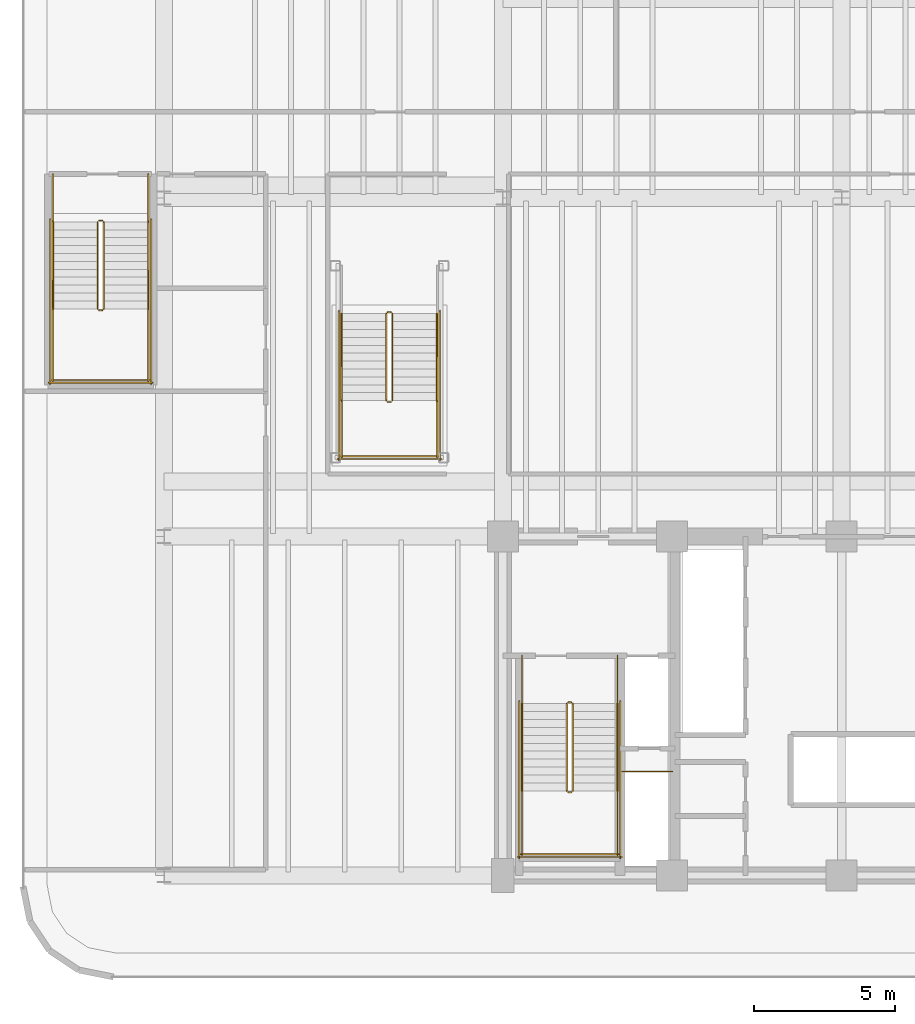
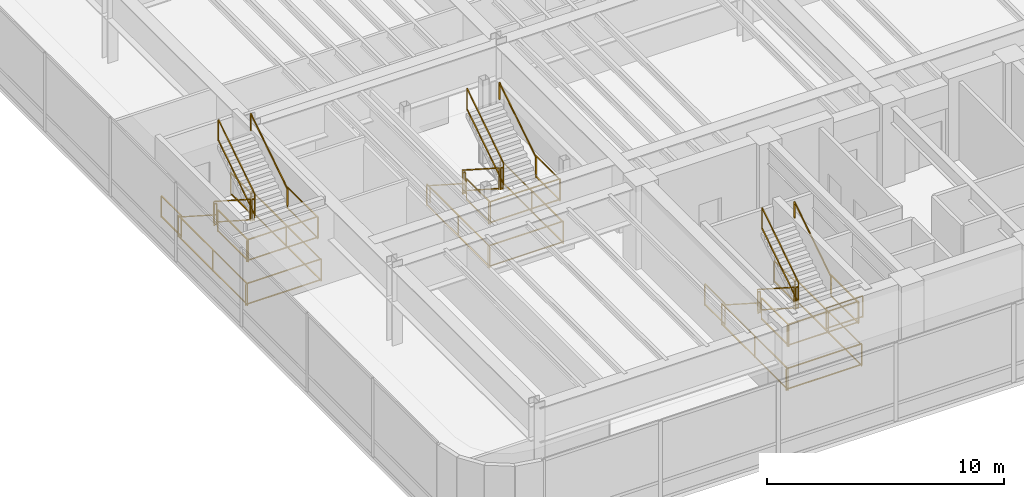
# One storey, part 17 of 19: 41 railings.
"""IFC4 building model written with IfcOpenShell, lengths in metres."""

from ifc_helpers import new_model, si_unit, direction, frame, origin, origin_2d, place, context, subcontext, project, spatial, rectangle, extrude, material, layer, layer_set, type_object, element, save


model = new_model("IFC4")

# Units and contexts
model_context = context("Model", 3, precision=1e-05, world=origin(), true_north=direction((0.0, 1.0)))
body_context = subcontext(model_context, "Body", "Model", "MODEL_VIEW")
ifc_project = project(units=[si_unit("LENGTHUNIT", "METRE"), si_unit("AREAUNIT", "SQUARE_METRE"), si_unit("VOLUMEUNIT", "CUBIC_METRE"), si_unit("PLANEANGLEUNIT", "RADIAN"), si_unit("MASSUNIT", "GRAM", prefix="KILO")], contexts=[model_context])

# Site, building, storey
site_placement = place(None, origin())
site = spatial("IfcSite", under=ifc_project, at=site_placement, CompositionType="ELEMENT")
building_placement = place(site_placement, origin())
building = spatial("IfcBuilding", under=site, at=building_placement, Name="Brelvock Crest Care Tower", CompositionType="ELEMENT")
storey_placement = place(building_placement, frame((0.0, 0.0, 18.360107421875)))
storey = spatial("IfcBuildingStorey", under=building, at=storey_placement, Name="L04", CompositionType="ELEMENT", Elevation=18.360107421875)

# Railings
ifc_material = material(Name="Steel Grade 350", Category="steel")
ifc_layer_1 = layer(ifc_material, 0.050048828125, Name="RL-STG1")
ifc_layer_set_1 = layer_set([ifc_layer_1], Name="Steel Grade 350")
railing_type_1 = type_object("IfcRailingType", Name="RL-STG1", PredefinedType="GUARDRAIL", material=ifc_layer_set_1)
railing_1_placement = place(storey_placement, frame((26.260009765625, 12.080078125, 0.179931640625)))
element("IfcRailing", 1, at=railing_1_placement, inside=storey, type_object=railing_type_1, Name="L04 ST-1 stair guard 1", PredefinedType="GUARDRAIL", context=body_context, shape_type="SweptSolid", body=[
    extrude(rectangle(XDim=0.048095703125, YDim=0.048095703125, at=origin_2d()), frame((0.0, -0.001708984375, 1.116943359375), z_axis=(0.0, -0.84118714077, 0.540744111576), x_axis=(1.0, 0.0, 0.0)), (0.0, 0.0, 1.0), 3.657470703125),
    extrude(rectangle(XDim=0.048095703125, YDim=0.048095703125, at=origin_2d()), frame((0.0, -0.001708984375, 0.05615234375), z_axis=(0.0, -0.84118714077, 0.540744111576), x_axis=(1.0, 0.0, 0.0)), (0.0, 0.0, 1.0), 3.657470703125),
    extrude(rectangle(XDim=0.0419921875, YDim=0.0419921875, at=origin_2d()), origin(), (0.0, 0.0, 1.0), 1.08984375),
    extrude(rectangle(XDim=0.0419921875, YDim=0.0419921875, at=origin_2d()), frame((0.0, -3.080078125, 1.97998046875)), (0.0, 0.0, 1.0), 1.08984375),
])
railing_2_placement = place(storey_placement, frame((26.31005859375, 8.949951171875, 2.159912109375)))
element("IfcRailing", 2, at=railing_2_placement, inside=storey, type_object=railing_type_1, Name="L04 ST-1 stair guard 2", PredefinedType="GUARDRAIL", context=body_context, shape_type="SweptSolid", body=[
    extrude(rectangle(XDim=0.048095703125, YDim=0.048095703125, at=origin_2d()), frame((0.001953125, 0.0, 1.11572265625), z_axis=(1.0, 0.0, 0.0), x_axis=(0.0, 1.0, 0.0)), (0.0, 0.0, 1.0), 0.115966796875),
    extrude(rectangle(XDim=0.048095703125, YDim=0.048095703125, at=origin_2d()), frame((0.001953125, 0.0, 0.054931640625), z_axis=(1.0, 0.0, 0.0), x_axis=(0.0, 1.0, 0.0)), (0.0, 0.0, 1.0), 0.115966796875),
    extrude(rectangle(XDim=0.0419921875, YDim=0.0419921875, at=origin_2d()), origin(), (0.0, 0.0, 1.0), 1.08984375),
    extrude(rectangle(XDim=0.0419921875, YDim=0.0419921875, at=origin_2d()), frame((0.119873046875, 0.0, 0.0)), (0.0, 0.0, 1.0), 1.08984375),
])
for number, where, name in (
    (3, (24.679931640625, 9.0, 2.159912109375), "L04 ST-1 stair guard 3"),
    (4, (28.06005859375, 9.0, 2.159912109375), "L04 ST-1 stair guard 4"),
):
    element("IfcRailing", number, at=place(storey_placement, frame(where)), inside=storey, type_object=railing_type_1, Name=name, PredefinedType="GUARDRAIL", context=body_context, shape_type="SweptSolid", body=[
        extrude(rectangle(XDim=0.048095703125, YDim=0.048095703125, at=origin_2d()), frame((0.0, -0.001953125, 1.11572265625), z_axis=(0.0, -1.0, 0.0), x_axis=(1.0, 0.0, 0.0)), (0.0, 0.0, 1.0), 2.296142578125),
        extrude(rectangle(XDim=0.048095703125, YDim=0.048095703125, at=origin_2d()), frame((0.0, -0.001953125, 0.054931640625), z_axis=(0.0, -1.0, 0.0), x_axis=(1.0, 0.0, 0.0)), (0.0, 0.0, 1.0), 2.296142578125),
        extrude(rectangle(XDim=0.0419921875, YDim=0.0419921875, at=origin_2d()), origin(), (0.0, 0.0, 1.0), 1.08984375),
        extrude(rectangle(XDim=0.0419921875, YDim=0.0419921875, at=origin_2d()), frame((0.0, -2.300048828125, 0.0)), (0.0, 0.0, 1.0), 1.08984375),
    ])
railing_3_placement = place(storey_placement, frame((24.6298828125, 6.75, 2.159912109375)))
element("IfcRailing", 5, at=railing_3_placement, inside=storey, type_object=railing_type_1, Name="L04 ST-1 stair guard 5", PredefinedType="GUARDRAIL", context=body_context, shape_type="SweptSolid", body=[
    extrude(rectangle(XDim=0.048095703125, YDim=0.048095703125, at=origin_2d()), frame((0.001953125, 0.0, 1.11572265625), z_axis=(1.0, 0.0, 0.0), x_axis=(0.0, 1.0, 0.0)), (0.0, 0.0, 1.0), 3.476318359375),
    extrude(rectangle(XDim=0.048095703125, YDim=0.048095703125, at=origin_2d()), frame((0.001953125, 0.0, 0.054931640625), z_axis=(1.0, 0.0, 0.0), x_axis=(0.0, 1.0, 0.0)), (0.0, 0.0, 1.0), 3.476318359375),
    extrude(rectangle(XDim=0.0419921875, YDim=0.0419921875, at=origin_2d()), origin(), (0.0, 0.0, 1.0), 1.08984375),
    extrude(rectangle(XDim=0.0419921875, YDim=0.0419921875, at=origin_2d()), frame((3.480224609375, 0.0, 0.0)), (0.0, 0.0, 1.0), 1.08984375),
])
railing_4_placement = place(storey_placement, frame((26.47998046875, 9.0, 2.33984375)))
element("IfcRailing", 6, at=railing_4_placement, inside=storey, type_object=railing_type_1, Name="L04 ST-1 stair guard 6", PredefinedType="GUARDRAIL", context=body_context, shape_type="SweptSolid", body=[
    extrude(rectangle(XDim=0.048095703125, YDim=0.048095703125, at=origin_2d()), frame((0.0, 0.001708984375, 1.116943359375), z_axis=(0.0, 0.84118714077, 0.540744111576), x_axis=(-1.0, 0.0, 0.0)), (0.0, 0.0, 1.0), 3.657470703125),
    extrude(rectangle(XDim=0.048095703125, YDim=0.048095703125, at=origin_2d()), frame((0.0, 0.001708984375, 0.05615234375), z_axis=(0.0, 0.84118714077, 0.540744111576), x_axis=(-1.0, 0.0, 0.0)), (0.0, 0.0, 1.0), 3.657470703125),
    extrude(rectangle(XDim=0.0419921875, YDim=0.0419921875, at=origin_2d()), origin(), (0.0, 0.0, 1.0), 1.08984375),
    extrude(rectangle(XDim=0.0419921875, YDim=0.0419921875, at=origin_2d()), frame((0.0, 3.080078125, 1.97998046875)), (0.0, 0.0, 1.0), 1.08984375),
])
railing_5_placement = place(storey_placement, frame((26.31005859375, 12.1298828125, 0.0)))
element("IfcRailing", 7, at=railing_5_placement, inside=storey, type_object=railing_type_1, Name="L04 ST-1 stair guard 7", PredefinedType="GUARDRAIL", context=body_context, shape_type="SweptSolid", body=[
    extrude(rectangle(XDim=0.048095703125, YDim=0.048095703125, at=origin_2d()), frame((0.001953125, 0.0, 1.11572265625), z_axis=(1.0, 0.0, 0.0), x_axis=(0.0, 1.0, 0.0)), (0.0, 0.0, 1.0), 0.115966796875),
    extrude(rectangle(XDim=0.048095703125, YDim=0.048095703125, at=origin_2d()), frame((0.001953125, 0.0, 0.054931640625), z_axis=(1.0, 0.0, 0.0), x_axis=(0.0, 1.0, 0.0)), (0.0, 0.0, 1.0), 0.115966796875),
    extrude(rectangle(XDim=0.0419921875, YDim=0.0419921875, at=origin_2d()), origin(), (0.0, 0.0, 1.0), 1.08984375),
    extrude(rectangle(XDim=0.0419921875, YDim=0.0419921875, at=origin_2d()), frame((0.119873046875, 0.0, 0.0)), (0.0, 0.0, 1.0), 1.08984375),
])
for number, where, name in (
    (8, (24.679931640625, 13.780029296875, 0.0), "L04 ST-1 stair guard 8"),
    (9, (28.06005859375, 13.780029296875, 0.0), "L04 ST-1 stair guard 9"),
):
    element("IfcRailing", number, at=place(storey_placement, frame(where)), inside=storey, type_object=railing_type_1, Name=name, PredefinedType="GUARDRAIL", context=body_context, shape_type="SweptSolid", body=[
        extrude(rectangle(XDim=0.048095703125, YDim=0.048095703125, at=origin_2d()), frame((0.0, -0.001953125, 1.11572265625), z_axis=(0.0, -1.0, 0.0), x_axis=(1.0, 0.0, 0.0)), (0.0, 0.0, 1.0), 1.696044921875),
        extrude(rectangle(XDim=0.048095703125, YDim=0.048095703125, at=origin_2d()), frame((0.0, -0.001953125, 0.054931640625), z_axis=(0.0, -1.0, 0.0), x_axis=(1.0, 0.0, 0.0)), (0.0, 0.0, 1.0), 1.696044921875),
        extrude(rectangle(XDim=0.0419921875, YDim=0.0419921875, at=origin_2d()), origin(), (0.0, 0.0, 1.0), 1.08984375),
        extrude(rectangle(XDim=0.0419921875, YDim=0.0419921875, at=origin_2d()), frame((0.0, -1.699951171875, 0.0)), (0.0, 0.0, 1.0), 1.08984375),
    ])
for number, where, name in (
    (10, (24.580078125, 12.179931640625, 0.0), "L04 ST-1 stair guard 10"),
    (11, (28.159912109375, 12.179931640625, 0.0), "L04 ST-1 stair guard 11"),
):
    element("IfcRailing", number, at=place(storey_placement, frame(where)), inside=storey, type_object=railing_type_1, Name=name, PredefinedType="GUARDRAIL", context=body_context, shape_type="SweptSolid", body=[
        extrude(rectangle(XDim=0.048095703125, YDim=0.048095703125, at=origin_2d()), frame((0.0, -0.001953125, 1.11572265625), z_axis=(0.0, -1.0, 0.0), x_axis=(1.0, 0.0, 0.0)), (0.0, 0.0, 1.0), 5.575927734375),
        extrude(rectangle(XDim=0.048095703125, YDim=0.048095703125, at=origin_2d()), frame((0.0, -0.001953125, 0.054931640625), z_axis=(0.0, -1.0, 0.0), x_axis=(1.0, 0.0, 0.0)), (0.0, 0.0, 1.0), 5.575927734375),
        extrude(rectangle(XDim=0.0419921875, YDim=0.0419921875, at=origin_2d()), origin(), (0.0, 0.0, 1.0), 1.08984375),
        extrude(rectangle(XDim=0.0419921875, YDim=0.0419921875, at=origin_2d()), frame((0.0, -2.7900390625, 0.0)), (0.0, 0.0, 1.0), 1.08984375),
        extrude(rectangle(XDim=0.0419921875, YDim=0.0419921875, at=origin_2d()), frame((0.0, -5.579833984375, 0.0)), (0.0, 0.0, 1.0), 1.08984375),
    ])
railing_6_placement = place(storey_placement, frame((24.530029296875, 6.64990234375, 0.0)))
element("IfcRailing", 12, at=railing_6_placement, inside=storey, type_object=railing_type_1, Name="L04 ST-1 stair guard 12", PredefinedType="GUARDRAIL", context=body_context, shape_type="SweptSolid", body=[
    extrude(rectangle(XDim=0.048095703125, YDim=0.048095703125, at=origin_2d()), frame((0.001953125, 0.0, 1.11572265625), z_axis=(1.0, 0.0, 0.0), x_axis=(0.0, 1.0, 0.0)), (0.0, 0.0, 1.0), 3.676025390625),
    extrude(rectangle(XDim=0.048095703125, YDim=0.048095703125, at=origin_2d()), frame((0.001953125, 0.0, 0.054931640625), z_axis=(1.0, 0.0, 0.0), x_axis=(0.0, 1.0, 0.0)), (0.0, 0.0, 1.0), 3.676025390625),
    extrude(rectangle(XDim=0.0419921875, YDim=0.0419921875, at=origin_2d()), origin(), (0.0, 0.0, 1.0), 1.08984375),
    extrude(rectangle(XDim=0.0419921875, YDim=0.0419921875, at=origin_2d()), frame((3.679931640625, 0.0, 0.0)), (0.0, 0.0, 1.0), 1.08984375),
])
railing_7_placement = place(storey_placement, frame((9.639892578125, 29.14990234375, 0.179931640625)))
element("IfcRailing", 13, at=railing_7_placement, inside=storey, type_object=railing_type_1, Name="L04 ST-3 stair guard 1", PredefinedType="GUARDRAIL", context=body_context, shape_type="SweptSolid", body=[
    extrude(rectangle(XDim=0.048095703125, YDim=0.048095703125, at=origin_2d()), frame((0.0, -0.001708984375, 1.116943359375), z_axis=(0.0, -0.841167642724, 0.540774441735), x_axis=(1.0, 0.0, 0.0)), (0.0, 0.0, 1.0), 3.657470703125),
    extrude(rectangle(XDim=0.048095703125, YDim=0.048095703125, at=origin_2d()), frame((0.0, -0.001708984375, 0.05615234375), z_axis=(0.0, -0.841167642724, 0.540774441735), x_axis=(1.0, 0.0, 0.0)), (0.0, 0.0, 1.0), 3.657470703125),
    extrude(rectangle(XDim=0.0419921875, YDim=0.0419921875, at=origin_2d()), origin(), (0.0, 0.0, 1.0), 1.08984375),
    extrude(rectangle(XDim=0.0419921875, YDim=0.0419921875, at=origin_2d()), frame((0.0, -3.079833984375, 1.97998046875)), (0.0, 0.0, 1.0), 1.08984375),
])
railing_8_placement = place(storey_placement, frame((9.68994140625, 26.02001953125, 2.159912109375)))
element("IfcRailing", 14, at=railing_8_placement, inside=storey, type_object=railing_type_1, Name="L04 ST-3 stair guard 2", PredefinedType="GUARDRAIL", context=body_context, shape_type="SweptSolid", body=[
    extrude(rectangle(XDim=0.048095703125, YDim=0.048095703125, at=origin_2d()), frame((0.001953125, 0.0, 1.11572265625), z_axis=(1.0, 0.0, 0.0), x_axis=(0.0, 1.0, 0.0)), (0.0, 0.0, 1.0), 0.1162109375),
    extrude(rectangle(XDim=0.048095703125, YDim=0.048095703125, at=origin_2d()), frame((0.001953125, 0.0, 0.054931640625), z_axis=(1.0, 0.0, 0.0), x_axis=(0.0, 1.0, 0.0)), (0.0, 0.0, 1.0), 0.1162109375),
    extrude(rectangle(XDim=0.0419921875, YDim=0.0419921875, at=origin_2d()), origin(), (0.0, 0.0, 1.0), 1.08984375),
    extrude(rectangle(XDim=0.0419921875, YDim=0.0419921875, at=origin_2d()), frame((0.1201171875, 0.0, 0.0)), (0.0, 0.0, 1.0), 1.08984375),
])
for number, where, name in (
    (15, (8.06005859375, 26.070068359375, 2.159912109375), "L04 ST-3 stair guard 3"),
    (16, (11.43994140625, 26.070068359375, 2.159912109375), "L04 ST-3 stair guard 4"),
):
    element("IfcRailing", number, at=place(storey_placement, frame(where)), inside=storey, type_object=railing_type_1, Name=name, PredefinedType="GUARDRAIL", context=body_context, shape_type="SweptSolid", body=[
        extrude(rectangle(XDim=0.048095703125, YDim=0.048095703125, at=origin_2d()), frame((0.0, -0.001953125, 1.11572265625), z_axis=(0.0, -1.0, 0.0), x_axis=(1.0, 0.0, 0.0)), (0.0, 0.0, 1.0), 2.566162109375),
        extrude(rectangle(XDim=0.048095703125, YDim=0.048095703125, at=origin_2d()), frame((0.0, -0.001953125, 0.054931640625), z_axis=(0.0, -1.0, 0.0), x_axis=(1.0, 0.0, 0.0)), (0.0, 0.0, 1.0), 2.566162109375),
        extrude(rectangle(XDim=0.0419921875, YDim=0.0419921875, at=origin_2d()), origin(), (0.0, 0.0, 1.0), 1.08984375),
        extrude(rectangle(XDim=0.0419921875, YDim=0.0419921875, at=origin_2d()), frame((0.0, -2.570068359375, 0.0)), (0.0, 0.0, 1.0), 1.08984375),
    ])
railing_9_placement = place(storey_placement, frame((8.010009765625, 23.550048828125, 2.159912109375)))
element("IfcRailing", 17, at=railing_9_placement, inside=storey, type_object=railing_type_1, Name="L04 ST-3 stair guard 5", PredefinedType="GUARDRAIL", context=body_context, shape_type="SweptSolid", body=[
    extrude(rectangle(XDim=0.048095703125, YDim=0.048095703125, at=origin_2d()), frame((0.001953125, 0.0, 1.11572265625), z_axis=(1.0, 0.0, 0.0), x_axis=(0.0, 1.0, 0.0)), (0.0, 0.0, 1.0), 3.47607421875),
    extrude(rectangle(XDim=0.048095703125, YDim=0.048095703125, at=origin_2d()), frame((0.001953125, 0.0, 0.054931640625), z_axis=(1.0, 0.0, 0.0), x_axis=(0.0, 1.0, 0.0)), (0.0, 0.0, 1.0), 3.47607421875),
    extrude(rectangle(XDim=0.0419921875, YDim=0.0419921875, at=origin_2d()), origin(), (0.0, 0.0, 1.0), 1.08984375),
    extrude(rectangle(XDim=0.0419921875, YDim=0.0419921875, at=origin_2d()), frame((3.47998046875, 0.0, 0.0)), (0.0, 0.0, 1.0), 1.08984375),
])
railing_10_placement = place(storey_placement, frame((9.860107421875, 26.070068359375, 2.33984375)))
element("IfcRailing", 18, at=railing_10_placement, inside=storey, type_object=railing_type_1, Name="L04 ST-3 stair guard 6", PredefinedType="GUARDRAIL", context=body_context, shape_type="SweptSolid", body=[
    extrude(rectangle(XDim=0.048095703125, YDim=0.048095703125, at=origin_2d()), frame((0.0, 0.001708984375, 1.116943359375), z_axis=(0.0, 0.841167642724, 0.540774441735), x_axis=(-1.0, 0.0, 0.0)), (0.0, 0.0, 1.0), 3.657470703125),
    extrude(rectangle(XDim=0.048095703125, YDim=0.048095703125, at=origin_2d()), frame((0.0, 0.001708984375, 0.05615234375), z_axis=(0.0, 0.841167642724, 0.540774441735), x_axis=(-1.0, 0.0, 0.0)), (0.0, 0.0, 1.0), 3.657470703125),
    extrude(rectangle(XDim=0.0419921875, YDim=0.0419921875, at=origin_2d()), origin(), (0.0, 0.0, 1.0), 1.08984375),
    extrude(rectangle(XDim=0.0419921875, YDim=0.0419921875, at=origin_2d()), frame((0.0, 3.079833984375, 1.97998046875)), (0.0, 0.0, 1.0), 1.08984375),
])
railing_11_placement = place(storey_placement, frame((9.68994140625, 29.199951171875, 0.0)))
element("IfcRailing", 19, at=railing_11_placement, inside=storey, type_object=railing_type_1, Name="L04 ST-3 stair guard 7", PredefinedType="GUARDRAIL", context=body_context, shape_type="SweptSolid", body=[
    extrude(rectangle(XDim=0.048095703125, YDim=0.048095703125, at=origin_2d()), frame((0.001953125, 0.0, 1.11572265625), z_axis=(1.0, 0.0, 0.0), x_axis=(0.0, 1.0, 0.0)), (0.0, 0.0, 1.0), 0.1162109375),
    extrude(rectangle(XDim=0.048095703125, YDim=0.048095703125, at=origin_2d()), frame((0.001953125, 0.0, 0.054931640625), z_axis=(1.0, 0.0, 0.0), x_axis=(0.0, 1.0, 0.0)), (0.0, 0.0, 1.0), 0.1162109375),
    extrude(rectangle(XDim=0.0419921875, YDim=0.0419921875, at=origin_2d()), origin(), (0.0, 0.0, 1.0), 1.08984375),
    extrude(rectangle(XDim=0.0419921875, YDim=0.0419921875, at=origin_2d()), frame((0.1201171875, 0.0, 0.0)), (0.0, 0.0, 1.0), 1.08984375),
])
for number, where, name in (
    (20, (8.06005859375, 30.85009765625, 0.0), "L04 ST-3 stair guard 8"),
    (21, (11.43994140625, 30.85009765625, 0.0), "L04 ST-3 stair guard 9"),
):
    element("IfcRailing", number, at=place(storey_placement, frame(where)), inside=storey, type_object=railing_type_1, Name=name, PredefinedType="GUARDRAIL", context=body_context, shape_type="SweptSolid", body=[
        extrude(rectangle(XDim=0.048095703125, YDim=0.048095703125, at=origin_2d()), frame((0.0, -0.001953125, 1.11572265625), z_axis=(0.0, -1.0, 0.0), x_axis=(1.0, 0.0, 0.0)), (0.0, 0.0, 1.0), 1.6962890625),
        extrude(rectangle(XDim=0.048095703125, YDim=0.048095703125, at=origin_2d()), frame((0.0, -0.001953125, 0.054931640625), z_axis=(0.0, -1.0, 0.0), x_axis=(1.0, 0.0, 0.0)), (0.0, 0.0, 1.0), 1.6962890625),
        extrude(rectangle(XDim=0.0419921875, YDim=0.0419921875, at=origin_2d()), origin(), (0.0, 0.0, 1.0), 1.08984375),
        extrude(rectangle(XDim=0.0419921875, YDim=0.0419921875, at=origin_2d()), frame((0.0, -1.7001953125, 0.0)), (0.0, 0.0, 1.0), 1.08984375),
    ])
for number, where, name in (
    (22, (7.9599609375, 29.25, 0.0), "L04 ST-3 stair guard 10"),
    (23, (11.5400390625, 29.25, 0.0), "L04 ST-3 stair guard 11"),
):
    element("IfcRailing", number, at=place(storey_placement, frame(where)), inside=storey, type_object=railing_type_1, Name=name, PredefinedType="GUARDRAIL", context=body_context, shape_type="SweptSolid", body=[
        extrude(rectangle(XDim=0.048095703125, YDim=0.048095703125, at=origin_2d()), frame((0.0, -0.001953125, 1.11572265625), z_axis=(0.0, -1.0, 0.0), x_axis=(1.0, 0.0, 0.0)), (0.0, 0.0, 1.0), 5.84619140625),
        extrude(rectangle(XDim=0.048095703125, YDim=0.048095703125, at=origin_2d()), frame((0.0, -0.001953125, 0.054931640625), z_axis=(0.0, -1.0, 0.0), x_axis=(1.0, 0.0, 0.0)), (0.0, 0.0, 1.0), 5.84619140625),
        extrude(rectangle(XDim=0.0419921875, YDim=0.0419921875, at=origin_2d()), origin(), (0.0, 0.0, 1.0), 1.08984375),
        extrude(rectangle(XDim=0.0419921875, YDim=0.0419921875, at=origin_2d()), frame((0.0, -2.925048828125, 0.0)), (0.0, 0.0, 1.0), 1.08984375),
        extrude(rectangle(XDim=0.0419921875, YDim=0.0419921875, at=origin_2d()), frame((0.0, -5.85009765625, 0.0)), (0.0, 0.0, 1.0), 1.08984375),
    ])
railing_12_placement = place(storey_placement, frame((7.909912109375, 23.449951171875, 0.0)))
element("IfcRailing", 24, at=railing_12_placement, inside=storey, type_object=railing_type_1, Name="L04 ST-3 stair guard 12", PredefinedType="GUARDRAIL", context=body_context, shape_type="SweptSolid", body=[
    extrude(rectangle(XDim=0.048095703125, YDim=0.048095703125, at=origin_2d()), frame((0.001953125, 0.0, 1.11572265625), z_axis=(1.0, 0.0, 0.0), x_axis=(0.0, 1.0, 0.0)), (0.0, 0.0, 1.0), 3.67626953125),
    extrude(rectangle(XDim=0.048095703125, YDim=0.048095703125, at=origin_2d()), frame((0.001953125, 0.0, 0.054931640625), z_axis=(1.0, 0.0, 0.0), x_axis=(0.0, 1.0, 0.0)), (0.0, 0.0, 1.0), 3.67626953125),
    extrude(rectangle(XDim=0.0419921875, YDim=0.0419921875, at=origin_2d()), origin(), (0.0, 0.0, 1.0), 1.08984375),
    extrude(rectangle(XDim=0.0419921875, YDim=0.0419921875, at=origin_2d()), frame((3.68017578125, 0.0, 0.0)), (0.0, 0.0, 1.0), 1.08984375),
])
railing_13_placement = place(storey_placement, frame((19.8701171875, 25.89990234375, 0.179931640625)))
element("IfcRailing", 25, at=railing_13_placement, inside=storey, type_object=railing_type_1, Name="L04 ST-5 stair guard 1", PredefinedType="GUARDRAIL", context=body_context, shape_type="SweptSolid", body=[
    extrude(rectangle(XDim=0.048095703125, YDim=0.048095703125, at=origin_2d()), frame((0.0, -0.001708984375, 1.116943359375), z_axis=(0.0, -0.841167642724, 0.540774441735), x_axis=(1.0, 0.0, 0.0)), (0.0, 0.0, 1.0), 3.657470703125),
    extrude(rectangle(XDim=0.048095703125, YDim=0.048095703125, at=origin_2d()), frame((0.0, -0.001708984375, 0.05615234375), z_axis=(0.0, -0.841167642724, 0.540774441735), x_axis=(1.0, 0.0, 0.0)), (0.0, 0.0, 1.0), 3.657470703125),
    extrude(rectangle(XDim=0.0419921875, YDim=0.0419921875, at=origin_2d()), origin(), (0.0, 0.0, 1.0), 1.08984375),
    extrude(rectangle(XDim=0.0419921875, YDim=0.0419921875, at=origin_2d()), frame((0.0, -3.079833984375, 1.97998046875)), (0.0, 0.0, 1.0), 1.08984375),
])
railing_14_placement = place(storey_placement, frame((19.919921875, 22.77001953125, 2.159912109375)))
element("IfcRailing", 26, at=railing_14_placement, inside=storey, type_object=railing_type_1, Name="L04 ST-5 stair guard 2", PredefinedType="GUARDRAIL", context=body_context, shape_type="SweptSolid", body=[
    extrude(rectangle(XDim=0.048095703125, YDim=0.048095703125, at=origin_2d()), frame((0.001953125, 0.0, 1.11572265625), z_axis=(1.0, 0.0, 0.0), x_axis=(0.0, 1.0, 0.0)), (0.0, 0.0, 1.0), 0.1162109375),
    extrude(rectangle(XDim=0.048095703125, YDim=0.048095703125, at=origin_2d()), frame((0.001953125, 0.0, 0.054931640625), z_axis=(1.0, 0.0, 0.0), x_axis=(0.0, 1.0, 0.0)), (0.0, 0.0, 1.0), 0.1162109375),
    extrude(rectangle(XDim=0.0419921875, YDim=0.0419921875, at=origin_2d()), origin(), (0.0, 0.0, 1.0), 1.08984375),
    extrude(rectangle(XDim=0.0419921875, YDim=0.0419921875, at=origin_2d()), frame((0.1201171875, 0.0, 0.0)), (0.0, 0.0, 1.0), 1.08984375),
])
for number, where, name in (
    (27, (18.2900390625, 22.820068359375, 2.159912109375), "L04 ST-5 stair guard 3"),
    (28, (21.669921875, 22.820068359375, 2.159912109375), "L04 ST-5 stair guard 4"),
):
    element("IfcRailing", number, at=place(storey_placement, frame(where)), inside=storey, type_object=railing_type_1, Name=name, PredefinedType="GUARDRAIL", context=body_context, shape_type="SweptSolid", body=[
        extrude(rectangle(XDim=0.048095703125, YDim=0.048095703125, at=origin_2d()), frame((0.0, -0.001953125, 1.11572265625), z_axis=(0.0, -1.0, 0.0), x_axis=(1.0, 0.0, 0.0)), (0.0, 0.0, 1.0), 2.01611328125),
        extrude(rectangle(XDim=0.048095703125, YDim=0.048095703125, at=origin_2d()), frame((0.0, -0.001953125, 0.054931640625), z_axis=(0.0, -1.0, 0.0), x_axis=(1.0, 0.0, 0.0)), (0.0, 0.0, 1.0), 2.01611328125),
        extrude(rectangle(XDim=0.0419921875, YDim=0.0419921875, at=origin_2d()), origin(), (0.0, 0.0, 1.0), 1.08984375),
        extrude(rectangle(XDim=0.0419921875, YDim=0.0419921875, at=origin_2d()), frame((0.0, -2.02001953125, 0.0)), (0.0, 0.0, 1.0), 1.08984375),
    ])
railing_15_placement = place(storey_placement, frame((18.239990234375, 20.85009765625, 2.159912109375)))
element("IfcRailing", 29, at=railing_15_placement, inside=storey, type_object=railing_type_1, Name="L04 ST-5 stair guard 5", PredefinedType="GUARDRAIL", context=body_context, shape_type="SweptSolid", body=[
    extrude(rectangle(XDim=0.048095703125, YDim=0.048095703125, at=origin_2d()), frame((0.001953125, 0.0, 1.11572265625), z_axis=(1.0, 0.0, 0.0), x_axis=(0.0, 1.0, 0.0)), (0.0, 0.0, 1.0), 3.47607421875),
    extrude(rectangle(XDim=0.048095703125, YDim=0.048095703125, at=origin_2d()), frame((0.001953125, 0.0, 0.054931640625), z_axis=(1.0, 0.0, 0.0), x_axis=(0.0, 1.0, 0.0)), (0.0, 0.0, 1.0), 3.47607421875),
    extrude(rectangle(XDim=0.0419921875, YDim=0.0419921875, at=origin_2d()), origin(), (0.0, 0.0, 1.0), 1.08984375),
    extrude(rectangle(XDim=0.0419921875, YDim=0.0419921875, at=origin_2d()), frame((3.47998046875, 0.0, 0.0)), (0.0, 0.0, 1.0), 1.08984375),
])
railing_16_placement = place(storey_placement, frame((20.090087890625, 22.820068359375, 2.33984375)))
element("IfcRailing", 30, at=railing_16_placement, inside=storey, type_object=railing_type_1, Name="L04 ST-5 stair guard 6", PredefinedType="GUARDRAIL", context=body_context, shape_type="SweptSolid", body=[
    extrude(rectangle(XDim=0.048095703125, YDim=0.048095703125, at=origin_2d()), frame((0.0, 0.001708984375, 1.116943359375), z_axis=(0.0, 0.841167642724, 0.540774441735), x_axis=(-1.0, 0.0, 0.0)), (0.0, 0.0, 1.0), 3.657470703125),
    extrude(rectangle(XDim=0.048095703125, YDim=0.048095703125, at=origin_2d()), frame((0.0, 0.001708984375, 0.05615234375), z_axis=(0.0, 0.841167642724, 0.540774441735), x_axis=(-1.0, 0.0, 0.0)), (0.0, 0.0, 1.0), 3.657470703125),
    extrude(rectangle(XDim=0.0419921875, YDim=0.0419921875, at=origin_2d()), origin(), (0.0, 0.0, 1.0), 1.08984375),
    extrude(rectangle(XDim=0.0419921875, YDim=0.0419921875, at=origin_2d()), frame((0.0, 3.079833984375, 1.97998046875)), (0.0, 0.0, 1.0), 1.08984375),
])
railing_17_placement = place(storey_placement, frame((19.919921875, 25.949951171875, 0.0)))
element("IfcRailing", 31, at=railing_17_placement, inside=storey, type_object=railing_type_1, Name="L04 ST-5 stair guard 7", PredefinedType="GUARDRAIL", context=body_context, shape_type="SweptSolid", body=[
    extrude(rectangle(XDim=0.048095703125, YDim=0.048095703125, at=origin_2d()), frame((0.001953125, 0.0, 1.11572265625), z_axis=(1.0, 0.0, 0.0), x_axis=(0.0, 1.0, 0.0)), (0.0, 0.0, 1.0), 0.1162109375),
    extrude(rectangle(XDim=0.048095703125, YDim=0.048095703125, at=origin_2d()), frame((0.001953125, 0.0, 0.054931640625), z_axis=(1.0, 0.0, 0.0), x_axis=(0.0, 1.0, 0.0)), (0.0, 0.0, 1.0), 0.1162109375),
    extrude(rectangle(XDim=0.0419921875, YDim=0.0419921875, at=origin_2d()), origin(), (0.0, 0.0, 1.0), 1.08984375),
    extrude(rectangle(XDim=0.0419921875, YDim=0.0419921875, at=origin_2d()), frame((0.1201171875, 0.0, 0.0)), (0.0, 0.0, 1.0), 1.08984375),
])
for number, where, name in (
    (32, (18.18994140625, 26.0, 0.0), "L04 ST-5 stair guard 10"),
    (33, (21.77001953125, 26.0, 0.0), "L04 ST-5 stair guard 11"),
):
    element("IfcRailing", number, at=place(storey_placement, frame(where)), inside=storey, type_object=railing_type_1, Name=name, PredefinedType="GUARDRAIL", context=body_context, shape_type="SweptSolid", body=[
        extrude(rectangle(XDim=0.048095703125, YDim=0.048095703125, at=origin_2d()), frame((0.0, -0.001953125, 1.11572265625), z_axis=(0.0, -1.0, 0.0), x_axis=(1.0, 0.0, 0.0)), (0.0, 0.0, 1.0), 5.296142578125),
        extrude(rectangle(XDim=0.048095703125, YDim=0.048095703125, at=origin_2d()), frame((0.0, -0.001953125, 0.054931640625), z_axis=(0.0, -1.0, 0.0), x_axis=(1.0, 0.0, 0.0)), (0.0, 0.0, 1.0), 5.296142578125),
        extrude(rectangle(XDim=0.0419921875, YDim=0.0419921875, at=origin_2d()), origin(), (0.0, 0.0, 1.0), 1.08984375),
        extrude(rectangle(XDim=0.0419921875, YDim=0.0419921875, at=origin_2d()), frame((0.0, -2.64990234375, 0.0)), (0.0, 0.0, 1.0), 1.08984375),
        extrude(rectangle(XDim=0.0419921875, YDim=0.0419921875, at=origin_2d()), frame((0.0, -5.300048828125, 0.0)), (0.0, 0.0, 1.0), 1.08984375),
    ])
railing_18_placement = place(storey_placement, frame((18.139892578125, 20.75, 0.0)))
element("IfcRailing", 34, at=railing_18_placement, inside=storey, type_object=railing_type_1, Name="L04 ST-5 stair guard 12", PredefinedType="GUARDRAIL", context=body_context, shape_type="SweptSolid", body=[
    extrude(rectangle(XDim=0.048095703125, YDim=0.048095703125, at=origin_2d()), frame((0.001953125, 0.0, 1.11572265625), z_axis=(1.0, 0.0, 0.0), x_axis=(0.0, 1.0, 0.0)), (0.0, 0.0, 1.0), 3.67626953125),
    extrude(rectangle(XDim=0.048095703125, YDim=0.048095703125, at=origin_2d()), frame((0.001953125, 0.0, 0.054931640625), z_axis=(1.0, 0.0, 0.0), x_axis=(0.0, 1.0, 0.0)), (0.0, 0.0, 1.0), 3.67626953125),
    extrude(rectangle(XDim=0.0419921875, YDim=0.0419921875, at=origin_2d()), origin(), (0.0, 0.0, 1.0), 1.08984375),
    extrude(rectangle(XDim=0.0419921875, YDim=0.0419921875, at=origin_2d()), frame((3.68017578125, 0.0, 0.0)), (0.0, 0.0, 1.0), 1.08984375),
])
railing_19_placement = place(storey_placement, frame((28.219970703125, 9.679931640625, 0.0)))
element("IfcRailing", 35, at=railing_19_placement, inside=storey, type_object=railing_type_1, Name="L04 Fire Riser Threshold Guard", PredefinedType="GUARDRAIL", context=body_context, shape_type="SweptSolid", body=[
    extrude(rectangle(XDim=0.048095703125, YDim=0.048095703125, at=origin_2d()), frame((0.001953125, 0.0, 1.11572265625), z_axis=(1.0, 0.0, 0.0), x_axis=(0.0, 1.0, 0.0)), (0.0, 0.0, 1.0), 1.776123046875),
    extrude(rectangle(XDim=0.048095703125, YDim=0.048095703125, at=origin_2d()), frame((0.001953125, 0.0, 0.054931640625), z_axis=(1.0, 0.0, 0.0), x_axis=(0.0, 1.0, 0.0)), (0.0, 0.0, 1.0), 1.776123046875),
    extrude(rectangle(XDim=0.0419921875, YDim=0.0419921875, at=origin_2d()), origin(), (0.0, 0.0, 1.0), 1.08984375),
    extrude(rectangle(XDim=0.0419921875, YDim=0.0419921875, at=origin_2d()), frame((1.780029296875, 0.0, 0.0)), (0.0, 0.0, 1.0), 1.08984375),
])
ifc_layer_2 = layer(ifc_material, 0.048095703125, Name="RL-STH1")
ifc_layer_set_2 = layer_set([ifc_layer_2], Name="Steel Grade 350")
railing_type_2 = type_object("IfcRailingType", Name="RL-STH1", PredefinedType="HANDRAIL", material=ifc_layer_set_2)
railing_20_placement = place(storey_placement, frame((24.679931640625, 12.080078125, 0.179931640625)))
element("IfcRailing", 36, at=railing_20_placement, inside=storey, type_object=railing_type_2, Name="L04 ST-1 stair handrail 1", PredefinedType="HANDRAIL", context=body_context, shape_type="SweptSolid", body=[
    extrude(rectangle(XDim=0.048095703125, YDim=0.048095703125, at=origin_2d()), frame((0.0, -0.001708984375, 0.876953125), z_axis=(0.0, -0.84118714077, 0.540744111576), x_axis=(1.0, 0.0, 0.0)), (0.0, 0.0, 1.0), 3.657470703125),
    extrude(rectangle(XDim=0.0419921875, YDim=0.0419921875, at=origin_2d()), origin(), (0.0, 0.0, 1.0), 0.849853515625),
    extrude(rectangle(XDim=0.0419921875, YDim=0.0419921875, at=origin_2d()), frame((0.0, -3.080078125, 1.97998046875)), (0.0, 0.0, 1.0), 0.849853515625),
])
railing_21_placement = place(storey_placement, frame((28.06005859375, 9.0, 2.33984375)))
element("IfcRailing", 37, at=railing_21_placement, inside=storey, type_object=railing_type_2, Name="L04 ST-1 stair handrail 2", PredefinedType="HANDRAIL", context=body_context, shape_type="SweptSolid", body=[
    extrude(rectangle(XDim=0.048095703125, YDim=0.048095703125, at=origin_2d()), frame((0.0, 0.001708984375, 0.876953125), z_axis=(0.0, 0.84118714077, 0.540744111576), x_axis=(-1.0, 0.0, 0.0)), (0.0, 0.0, 1.0), 3.657470703125),
    extrude(rectangle(XDim=0.0419921875, YDim=0.0419921875, at=origin_2d()), origin(), (0.0, 0.0, 1.0), 0.849853515625),
    extrude(rectangle(XDim=0.0419921875, YDim=0.0419921875, at=origin_2d()), frame((0.0, 3.080078125, 1.97998046875)), (0.0, 0.0, 1.0), 0.849853515625),
])
railing_22_placement = place(storey_placement, frame((8.06005859375, 29.14990234375, 0.179931640625)))
element("IfcRailing", 38, at=railing_22_placement, inside=storey, type_object=railing_type_2, Name="L04 ST-3 stair handrail 1", PredefinedType="HANDRAIL", context=body_context, shape_type="SweptSolid", body=[
    extrude(rectangle(XDim=0.048095703125, YDim=0.048095703125, at=origin_2d()), frame((0.0, -0.001708984375, 0.876953125), z_axis=(0.0, -0.841167642724, 0.540774441735), x_axis=(1.0, 0.0, 0.0)), (0.0, 0.0, 1.0), 3.657470703125),
    extrude(rectangle(XDim=0.0419921875, YDim=0.0419921875, at=origin_2d()), origin(), (0.0, 0.0, 1.0), 0.849853515625),
    extrude(rectangle(XDim=0.0419921875, YDim=0.0419921875, at=origin_2d()), frame((0.0, -3.079833984375, 1.97998046875)), (0.0, 0.0, 1.0), 0.849853515625),
])
railing_23_placement = place(storey_placement, frame((11.43994140625, 26.070068359375, 2.33984375)))
element("IfcRailing", 39, at=railing_23_placement, inside=storey, type_object=railing_type_2, Name="L04 ST-3 stair handrail 2", PredefinedType="HANDRAIL", context=body_context, shape_type="SweptSolid", body=[
    extrude(rectangle(XDim=0.048095703125, YDim=0.048095703125, at=origin_2d()), frame((0.0, 0.001708984375, 0.876953125), z_axis=(0.0, 0.841167642724, 0.540774441735), x_axis=(-1.0, 0.0, 0.0)), (0.0, 0.0, 1.0), 3.657470703125),
    extrude(rectangle(XDim=0.0419921875, YDim=0.0419921875, at=origin_2d()), origin(), (0.0, 0.0, 1.0), 0.849853515625),
    extrude(rectangle(XDim=0.0419921875, YDim=0.0419921875, at=origin_2d()), frame((0.0, 3.079833984375, 1.97998046875)), (0.0, 0.0, 1.0), 0.849853515625),
])
railing_24_placement = place(storey_placement, frame((18.2900390625, 25.89990234375, 0.179931640625)))
element("IfcRailing", 40, at=railing_24_placement, inside=storey, type_object=railing_type_2, Name="L04 ST-5 stair handrail 1", PredefinedType="HANDRAIL", context=body_context, shape_type="SweptSolid", body=[
    extrude(rectangle(XDim=0.048095703125, YDim=0.048095703125, at=origin_2d()), frame((0.0, -0.001708984375, 0.876953125), z_axis=(0.0, -0.841167642724, 0.540774441735), x_axis=(1.0, 0.0, 0.0)), (0.0, 0.0, 1.0), 3.657470703125),
    extrude(rectangle(XDim=0.0419921875, YDim=0.0419921875, at=origin_2d()), origin(), (0.0, 0.0, 1.0), 0.849853515625),
    extrude(rectangle(XDim=0.0419921875, YDim=0.0419921875, at=origin_2d()), frame((0.0, -3.079833984375, 1.97998046875)), (0.0, 0.0, 1.0), 0.849853515625),
])
railing_25_placement = place(storey_placement, frame((21.669921875, 22.820068359375, 2.33984375)))
element("IfcRailing", 41, at=railing_25_placement, inside=storey, type_object=railing_type_2, Name="L04 ST-5 stair handrail 2", PredefinedType="HANDRAIL", context=body_context, shape_type="SweptSolid", body=[
    extrude(rectangle(XDim=0.048095703125, YDim=0.048095703125, at=origin_2d()), frame((0.0, 0.001708984375, 0.876953125), z_axis=(0.0, 0.841167642724, 0.540774441735), x_axis=(-1.0, 0.0, 0.0)), (0.0, 0.0, 1.0), 3.657470703125),
    extrude(rectangle(XDim=0.0419921875, YDim=0.0419921875, at=origin_2d()), origin(), (0.0, 0.0, 1.0), 0.849853515625),
    extrude(rectangle(XDim=0.0419921875, YDim=0.0419921875, at=origin_2d()), frame((0.0, 3.079833984375, 1.97998046875)), (0.0, 0.0, 1.0), 0.849853515625),
])

save(model, "model.ifc")
